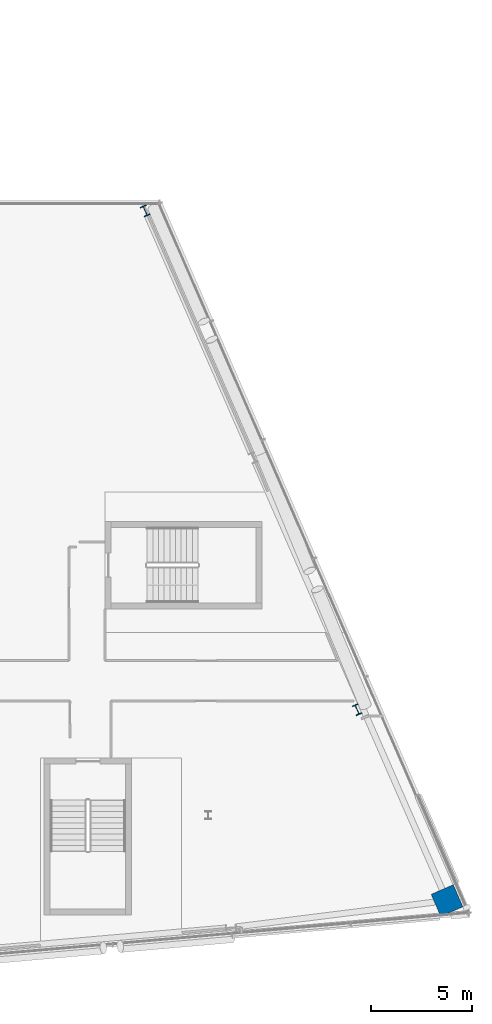
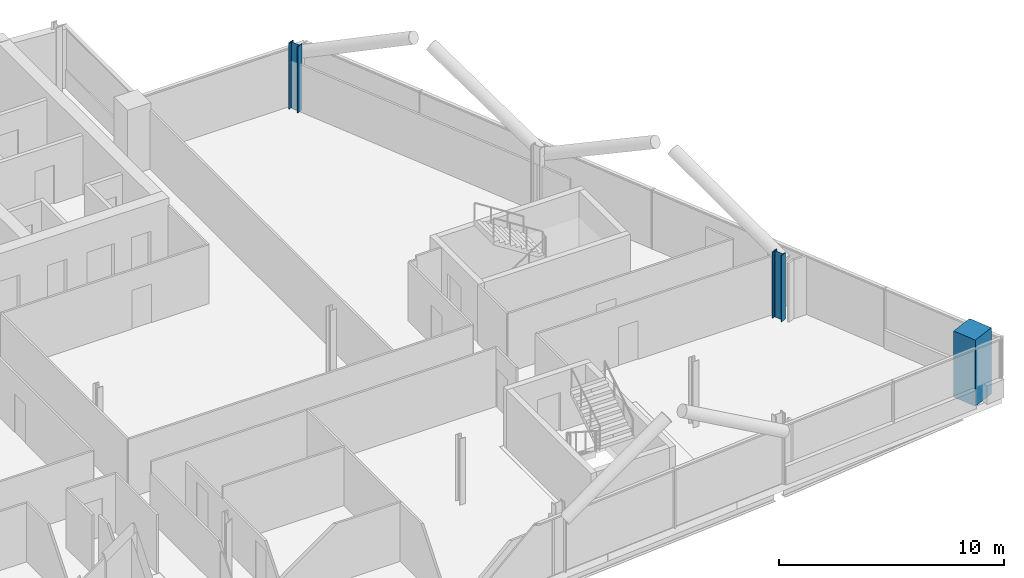
# One storey, part 4 of 27: 3 columns.
"""IFC4 building model written with IfcOpenShell, lengths in metres."""

from ifc_helpers import new_model, si_unit, direction, frame, origin, origin_2d, place, context, subcontext, project, spatial, rectangle, i_section, extrude, material, material_profile, profile_set, type_object, element, save


model = new_model("IFC4")

# Units and contexts
model_context = context("Model", 3, precision=1e-05, world=origin(), true_north=direction((0.0, 1.0)))
body_context = subcontext(model_context, "Body", "Model", "MODEL_VIEW")
ifc_project = project(units=[si_unit("LENGTHUNIT", "METRE"), si_unit("AREAUNIT", "SQUARE_METRE"), si_unit("VOLUMEUNIT", "CUBIC_METRE"), si_unit("PLANEANGLEUNIT", "RADIAN"), si_unit("MASSUNIT", "GRAM", prefix="KILO")], contexts=[model_context])

# Site, building, storey
site_placement = place(None, origin())
site = spatial("IfcSite", under=ifc_project, at=site_placement, CompositionType="ELEMENT")
building_placement = place(site_placement, origin())
building = spatial("IfcBuilding", under=site, at=building_placement, Name="Wharfspan Tower", CompositionType="ELEMENT")
storey_placement = place(building_placement, frame((0.0, 0.0, 210.699951)))
storey = spatial("IfcBuildingStorey", under=building, at=storey_placement, Name="L52", CompositionType="ELEMENT", Elevation=210.699951)

# Columns
ifc_material_1 = material(Name="Steel S355J2", Category="steel")
ifc_material_profile_1 = material_profile(ifc_material_1, i_section(OverallWidth=0.305908, OverallDepth=0.523926, WebThickness=0.020996, FlangeThickness=0.040039, FilletRadius=0.0271, at=origin_2d()))
ifc_profile_set_1 = profile_set([ifc_material_profile_1], Name="Steel S355J2")
column_type_1 = type_object("IfcColumnType", Name="Column HEM 500", PredefinedType="COLUMN", material=ifc_profile_set_1)
for number, where, z_axis, x_axis, name in (
    (1, (79.409668, 16.761719, 0.0), (0.0, 0.0, 1.0), (0.917072, 0.398727, 0.0), "Perimeter column PE.1 L52"),
    (2, (68.867188, 41.572266, 0.0), (0.0, 0.0, 1.0), (0.917072, 0.398727, 0.0), "Perimeter column PE.3 L52"),
):
    element("IfcColumn", number, at=place(storey_placement, frame(where, z_axis=z_axis, x_axis=x_axis)), inside=storey, type_object=column_type_1, Name=name, PredefinedType="COLUMN", context=body_context, shape_type="SweptSolid", body=[
        extrude(i_section(OverallWidth=0.305908, OverallDepth=0.523926, WebThickness=0.020996, FlangeThickness=0.040039, FilletRadius=0.0271, at=origin_2d()), origin(), (0.0, 0.0, 1.0), 3.600098),
    ])
ifc_material_2 = material(Name="Concrete C50/60", Category="concrete")
ifc_material_profile_2 = material_profile(ifc_material_2, rectangle(XDim=1.199951, YDim=1.199951, at=origin_2d()))
ifc_profile_set_2 = profile_set([ifc_material_profile_2], Name="Concrete C50/60")
column_type_2 = type_object("IfcColumnType", Name="Mega column 1200 C50/60", PredefinedType="COLUMN", material=ifc_profile_set_2)
column_placement = place(storey_placement, frame((83.882812, 7.264648, 0.0), z_axis=(0.0, 0.0, 1.0), x_axis=(-0.398727, 0.917072, 0.0)))
element("IfcColumn", 3, at=column_placement, inside=storey, type_object=column_type_2, Name="Mega column MC4 L52", PredefinedType="COLUMN", context=body_context, shape_type="SweptSolid", body=[
    extrude(rectangle(XDim=1.199951, YDim=1.199951, at=origin_2d()), origin(), (0.0, 0.0, 1.0), 3.600098),
])

save(model, "model.ifc")
